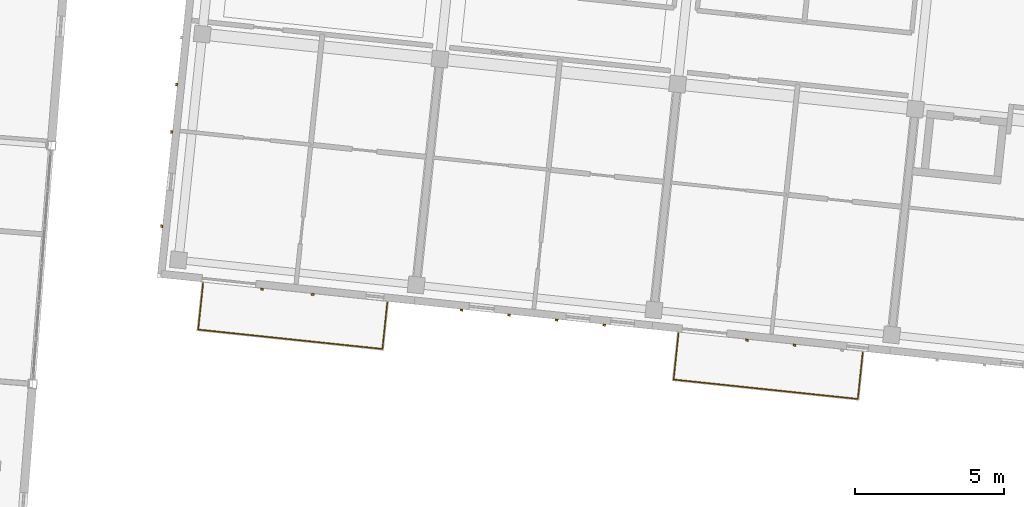
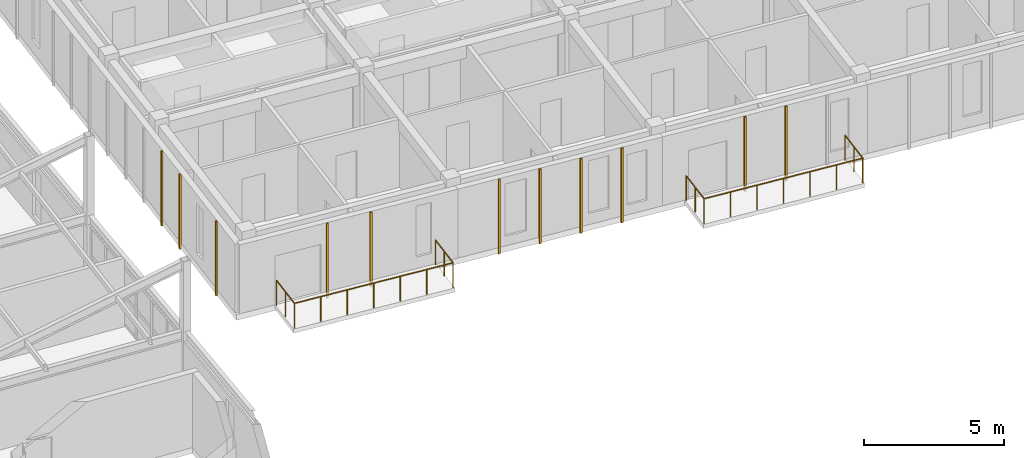
# One storey, part 116 of 127: 11 coverings, 2 railings.
"""IFC4 building model written with IfcOpenShell, lengths in metres."""

import ifcopenshell
import ifcopenshell.guid

model = None  # the IFC model being written
_history = None  # IfcOwnerHistory: only IFC2X3 demands one
_inside = {}  # id of a spatial element -> (the spatial element, [elements in it])
_under = {}  # id of a project, library or spatial element -> (it, [spatial elements below it])
_declared = {}  # id of a project -> (the project, [libraries it declares])
_typed = {}  # id of a type object -> (the type object, [elements of that type])
_made_of = {}  # id of a material, layer set ... -> (it, [elements and type objects made of it])


def new_model(schema):
    """Start an empty IFC model of exactly this schema.

    Asked for "IFC4X3", IfcOpenShell would pick the latest addendum, in which some entities
    have other attributes; the version numbers below select the first issue.
    IFC2X3 requires an IfcOwnerHistory on every rooted entity: one is made here for all.
    """
    global model, _history
    if schema == "IFC4X3":
        model = ifcopenshell.file(schema_version=(4, 3, 0, 0))
    else:
        model = ifcopenshell.file(schema=schema)
    _inside.clear()
    _under.clear()
    _declared.clear()
    _typed.clear()
    _made_of.clear()
    _history = None
    if model.schema == "IFC2X3":
        org = make("IfcOrganization", Name="unknown")
        user = make(
            "IfcPersonAndOrganization",
            ThePerson=make("IfcPerson", FamilyName="unknown"),
            TheOrganization=org,
        )
        app = make(
            "IfcApplication",
            ApplicationDeveloper=org,
            Version="unknown",
            ApplicationFullName="unknown",
            ApplicationIdentifier="unknown",
        )
        _history = make(
            "IfcOwnerHistory",
            OwningUser=user,
            OwningApplication=app,
            ChangeAction="ADDED",
            CreationDate=0,
        )
    return model


def make(cls, **values):
    """One entity of the class cls with the attributes given. An attribute that is None is left unset."""
    return model.create_entity(
        cls, **{name: value for name, value in values.items() if value is not None}
    )


def rooted(cls, **values):
    """An entity with a GlobalId (a new one), such as an element, a storey or a relation."""
    return make(cls, GlobalId=ifcopenshell.guid.new(), OwnerHistory=_history, **values)


def si_unit(unit_type, name, prefix=None):
    """IfcSIUnit, for example si_unit("LENGTHUNIT", "METRE", prefix="MILLI")."""
    return make("IfcSIUnit", UnitType=unit_type, Prefix=prefix, Name=name)


def assignment(units):
    """IfcUnitAssignment: the units of a project."""
    return None if units is None else make("IfcUnitAssignment", Units=units)


def point(xyz):
    """IfcCartesianPoint."""
    return None if xyz is None else make("IfcCartesianPoint", Coordinates=xyz)


def direction(xyz):
    """IfcDirection."""
    return None if xyz is None else make("IfcDirection", DirectionRatios=xyz)


def frame(location, z_axis=None, x_axis=None):
    """IfcAxis2Placement3D, a coordinate frame: its origin and axes. An axis left out is left unset."""
    return make(
        "IfcAxis2Placement3D",
        Location=point(location),
        Axis=direction(z_axis),
        RefDirection=direction(x_axis),
    )


def frame_2d(location, x_axis=None):
    """IfcAxis2Placement2D, a coordinate frame in the plane: its origin and x axis."""
    return make(
        "IfcAxis2Placement2D", Location=point(location), RefDirection=direction(x_axis)
    )


def origin():
    """The frame at (0, 0, 0) with its axes left unset."""
    return frame((0.0, 0.0, 0.0))


def origin_2d():
    """The frame at (0, 0) in the plane with its x axis left unset."""
    return frame_2d((0.0, 0.0))


def place(relative_to, where):
    """IfcLocalPlacement: puts the frame where relative to a parent placement (None: the world)."""
    return make(
        "IfcLocalPlacement", PlacementRelTo=relative_to, RelativePlacement=where
    )


def context(
    kind, dimensions, precision=None, world=None, true_north=None, identifier=None
):
    """IfcGeometricRepresentationContext, for example the 3D "Model" context."""
    return make(
        "IfcGeometricRepresentationContext",
        ContextIdentifier=identifier,
        ContextType=kind,
        CoordinateSpaceDimension=dimensions,
        Precision=precision,
        WorldCoordinateSystem=world,
        TrueNorth=true_north,
    )


def subcontext(parent, identifier, kind, view, scale=None):
    """IfcGeometricRepresentationSubContext, for example "Body" below "Model"."""
    return make(
        "IfcGeometricRepresentationSubContext",
        ContextIdentifier=identifier,
        ContextType=kind,
        ParentContext=parent,
        TargetScale=scale,
        TargetView=view,
    )


def project(units=None, contexts=None):
    """IfcProject with its units and contexts."""
    return rooted(
        "IfcProject",
        Name="project",
        RepresentationContexts=contexts,
        UnitsInContext=assignment(units),
    )


def spatial(cls, under=None, at=None, **own):
    """A site, building, storey or space (cls), placed at a placement, below another one or the project."""
    s = rooted(cls, ObjectPlacement=at, **own)
    if under is not None:
        _under.setdefault(under.id(), (under, []))[1].append(s)
    return s


def profile(cls, at=None, kind="AREA", **sizes):
    """A parametric profile (cls). Its sizes go by their IFC names, for example OverallWidth=200.0."""
    return make(cls, ProfileType=kind, Position=at, **sizes)


def rectangle(**sizes):
    """IfcRectangleProfileDef."""
    return profile("IfcRectangleProfileDef", **sizes)


def circle(**sizes):
    """IfcCircleProfileDef."""
    return profile("IfcCircleProfileDef", **sizes)


def extrude(swept, where, along, depth):
    """IfcExtrudedAreaSolid: the profile swept, set in the frame where, extruded along a direction by depth."""
    return make(
        "IfcExtrudedAreaSolid",
        SweptArea=swept,
        Position=where,
        ExtrudedDirection=direction(along),
        Depth=depth,
    )


def shape(context_of_items, identifier, shape_type, items):
    """IfcShapeRepresentation: the items that make up one representation, for example the "Body"."""
    return make(
        "IfcShapeRepresentation",
        ContextOfItems=context_of_items,
        RepresentationIdentifier=identifier,
        RepresentationType=shape_type,
        Items=items,
    )


def material(Name=None, Category=None):
    """IfcMaterial."""
    return make("IfcMaterial", Name=Name, Category=Category)


def layer(
    of_material, thickness, ventilated=None, Name=None, Category=None, Priority=None
):
    """IfcMaterialLayer: one layer of a wall or slab, of a material (None: an air gap)."""
    return make(
        "IfcMaterialLayer",
        Material=of_material,
        LayerThickness=thickness,
        IsVentilated=ventilated,
        Name=Name,
        Category=Category,
        Priority=Priority,
    )


def layer_set(layers, Name=None):
    """IfcMaterialLayerSet."""
    return make("IfcMaterialLayerSet", MaterialLayers=layers, LayerSetName=Name)


def made_of(thing, what):
    """Note that an element or type object is made of a material, layer set ...; save() writes the relation."""
    if what is not None:
        _made_of.setdefault(what.id(), (what, []))[1].append(thing)
    return thing


def type_object(cls, material=None, **own):
    """A type object (cls), such as IfcWallType, which elements share."""
    return made_of(rooted(cls, **own), material)


def element(
    cls,
    number,
    at=None,
    inside=None,
    cuts=None,
    type_object=None,
    material=None,
    context=None,
    identifier="Body",
    shape_type=None,
    held_by="IfcProductDefinitionShape",
    body=None,
    shapes=None,
    **own,
):
    """One element of the class cls, such as IfcWall. Its Tag is "e" and its number.

    at: its placement. inside: the storey or other place that contains it. cuts: it is an
    opening in that element (IfcRelVoidsElement). A single representation is given by context,
    identifier, shape_type and body (its items); several are given by shapes. held_by: the class
    of the entity that holds the representations. save() writes the other relations.
    """
    e = rooted(cls, Tag="e%d" % number, ObjectPlacement=at, **own)
    if body is not None:
        shapes = [shape(context, identifier, shape_type, body)]
    if shapes is not None:
        e.Representation = make(held_by, Representations=shapes)
    if inside is not None:
        _inside.setdefault(inside.id(), (inside, []))[1].append(e)
    if cuts is not None:
        rooted(
            "IfcRelVoidsElement", RelatingBuildingElement=cuts, RelatedOpeningElement=e
        )
    if type_object is not None:
        _typed.setdefault(type_object.id(), (type_object, []))[1].append(e)
    return made_of(e, material)


def aggregate(whole, parts):
    """IfcRelAggregates: a whole, such as a stair, and the parts it consists of."""
    return rooted("IfcRelAggregates", RelatingObject=whole, RelatedObjects=parts)


def save(model, path):
    """Write the relations noted so far, then the file.

    IfcRelAggregates (storeys below a building ...), IfcRelContainedInSpatialStructure (elements
    in a storey), IfcRelDefinesByType, IfcRelAssociatesMaterial and IfcRelDeclares: one each for
    every whole, place, type object, material and project.
    """
    for whole, parts in _under.values():
        aggregate(whole, parts)
    for where, things in _inside.values():
        rooted(
            "IfcRelContainedInSpatialStructure",
            RelatedElements=things,
            RelatingStructure=where,
        )
    for kind, things in _typed.values():
        rooted("IfcRelDefinesByType", RelatedObjects=things, RelatingType=kind)
    for what, things in _made_of.values():
        rooted("IfcRelAssociatesMaterial", RelatedObjects=things, RelatingMaterial=what)
    for by, libraries in _declared.values():
        rooted("IfcRelDeclares", RelatingContext=by, RelatedDefinitions=libraries)
    model.write(path)


model = new_model("IFC4")

# Units and contexts
model_context = context("Model", 3, precision=1e-05, world=origin(), true_north=direction((0.0, 1.0)))
body_context = subcontext(model_context, "Body", "Model", "MODEL_VIEW")
ifc_project = project(units=[si_unit("LENGTHUNIT", "METRE"), si_unit("AREAUNIT", "SQUARE_METRE"), si_unit("VOLUMEUNIT", "CUBIC_METRE"), si_unit("PLANEANGLEUNIT", "RADIAN"), si_unit("MASSUNIT", "GRAM", prefix="KILO")], contexts=[model_context])

# Site, building, storey
site_placement = place(None, origin())
site = spatial("IfcSite", under=ifc_project, at=site_placement, CompositionType="ELEMENT")
building_placement = place(site_placement, origin())
building = spatial("IfcBuilding", under=site, at=building_placement, Name="Kestramere Prow Commons", CompositionType="ELEMENT")
storey_placement = place(building_placement, frame((0.0, 0.0, 8.39990234375)))
storey = spatial("IfcBuildingStorey", under=building, at=storey_placement, Name="L02", CompositionType="ELEMENT", Elevation=8.39990234375)

# Coverings
ifc_material_1 = material(Name="Weathered Zinc-Titanium Standing-Seam Cladding")
ifc_layer = layer(ifc_material_1, 0.074951171875)
ifc_layer_set = layer_set([ifc_layer], Name="Weathered Zinc-Titanium Standing-Seam Cladding")
covering_type = type_object("IfcCoveringType", Name="COV-CLAD-SEAM", PredefinedType="CLADDING", material=ifc_layer_set)
for number, where, z_axis, x_axis, name in (
    (1, (114.494140625, 93.646484375, -0.25), (0.0, 0.0, 1.0), (-0.994521895368, 0.104528463268, 0.0), "EW-B-L02-S-0 Standing-Seam Rib 2"),
    (2, (112.79833984375, 93.82470703125, -0.25), (0.0, 0.0, 1.0), (-0.994521895368, 0.104528463268, 0.0), "EW-B-L02-S-0 Standing-Seam Rib 3"),
    (3, (124.250244140625, 92.62109375, -0.25), (0.0, 0.0, 1.0), (-0.994521895368, 0.104528463268, 0.0), "EW-B-L02-S-1 Standing-Seam Rib 1"),
    (4, (122.6591796875, 92.788330078125, -0.25), (0.0, 0.0, 1.0), (-0.994521895368, 0.104528463268, 0.0), "EW-B-L02-S-1 Standing-Seam Rib 2"),
    (5, (121.06787109375, 92.95556640625, -0.25), (0.0, 0.0, 1.0), (-0.994521895368, 0.104528463268, 0.0), "EW-B-L02-S-1 Standing-Seam Rib 3"),
    (6, (119.4765625, 93.122802734375, -0.25), (0.0, 0.0, 1.0), (-0.994521895368, 0.104528463268, 0.0), "EW-B-L02-S-1 Standing-Seam Rib 4"),
    (7, (130.615234375, 91.951904296875, -0.25), (0.0, 0.0, 1.0), (-0.994521895368, 0.104528463268, 0.0), "EW-B-L02-S-2 Standing-Seam Rib 2"),
    (8, (129.02392578125, 92.119384765625, -0.25), (0.0, 0.0, 1.0), (-0.994521895368, 0.104528463268, 0.0), "EW-B-L02-S-2 Standing-Seam Rib 3"),
    (9, (109.437255859375, 95.928466796875, -0.25), (0.0, 0.0, 1.0), (0.104528463268, 0.994521895368, 0.0), "EW-B-L02-EAV Standing-Seam Rib 1"),
    (10, (109.76953125, 99.087890625, -0.25), (0.0, 0.0, 1.0), (0.104528463268, 0.994521895368, 0.0), "EW-B-L02-EAV Standing-Seam Rib 3"),
    (11, (109.935546875, 100.667724609375, -0.25), (0.0, 0.0, 1.0), (0.104528463268, 0.994521895368, 0.0), "EW-B-L02-EAV Standing-Seam Rib 4"),
):
    element("IfcCovering", number, at=place(storey_placement, frame(where, z_axis=z_axis, x_axis=x_axis)), inside=storey, type_object=covering_type, Name=name, PredefinedType="CLADDING", context=body_context, shape_type="SweptSolid", body=[
        extrude(rectangle(XDim=0.0849609375, YDim=0.06494140625, at=origin_2d()), origin(), (0.0, 0.0, 1.0), 3.25),
    ])

# Railings
ifc_material_2 = material(Name="Powder-Coated Aluminium 6063-T6", Category="aluminium")
railing_type = type_object("IfcRailingType", Name="GRD-BALC-1100", PredefinedType="BALUSTRADE", material=ifc_material_2)
railing_1_placement = place(storey_placement, frame((110.822998046875, 94.019775390625, 0.0)))
element("IfcRailing", 12, at=railing_1_placement, inside=storey, type_object=railing_type, Name="Block B L02 Balcony Guardrail 1", PredefinedType="BALUSTRADE", context=body_context, shape_type="SweptSolid", body=[
    extrude(circle(Radius=0.02392578125, at=origin_2d()), frame((0.0, 0.0, 1.076171875), z_axis=(-0.104538150424, -0.994520877159, 0.0), x_axis=(0.994520877159, -0.104538150424, 0.0)), (0.0, 0.0, 1.0), 1.56005859375),
    extrude(circle(Radius=0.02392578125, at=origin_2d()), frame((-0.1630859375, -1.551513671875, 1.076171875), z_axis=(0.994519899862, -0.104547447503, 0.0), x_axis=(0.104547447503, 0.994519899862, 0.0)), (0.0, 0.0, 1.0), 6.199951171875),
    extrude(circle(Radius=0.02392578125, at=origin_2d()), frame((6.0029296875, -2.19970703125, 1.076171875), z_axis=(0.104538150424, 0.994520877159, 0.0), x_axis=(-0.994520877159, 0.104538150424, 0.0)), (0.0, 0.0, 1.0), 1.56005859375),
    extrude(circle(Radius=0.02099609375, at=origin_2d()), origin(), (0.0, 0.0, 1.0), 1.052001953125),
    extrude(circle(Radius=0.02099609375, at=origin_2d()), frame((-0.08154296875, -0.77587890625, 0.0)), (0.0, 0.0, 1.0), 1.052001953125),
    extrude(circle(Radius=0.02099609375, at=origin_2d()), frame((-0.1630859375, -1.551513671875, 0.0)), (0.0, 0.0, 1.0), 1.052001953125),
    extrude(circle(Radius=0.02099609375, at=origin_2d()), frame((0.864501953125, -1.65966796875, 0.0)), (0.0, 0.0, 1.0), 1.052001953125),
    extrude(circle(Radius=0.02099609375, at=origin_2d()), frame((1.892333984375, -1.767578125, 0.0)), (0.0, 0.0, 1.0), 1.052001953125),
    extrude(circle(Radius=0.02099609375, at=origin_2d()), frame((2.919921875, -1.87548828125, 0.0)), (0.0, 0.0, 1.0), 1.052001953125),
    extrude(circle(Radius=0.02099609375, at=origin_2d()), frame((3.947509765625, -1.983642578125, 0.0)), (0.0, 0.0, 1.0), 1.052001953125),
    extrude(circle(Radius=0.02099609375, at=origin_2d()), frame((4.975341796875, -2.091796875, 0.0)), (0.0, 0.0, 1.0), 1.052001953125),
    extrude(circle(Radius=0.02099609375, at=origin_2d()), frame((6.0029296875, -2.19970703125, 0.0)), (0.0, 0.0, 1.0), 1.052001953125),
    extrude(circle(Radius=0.02099609375, at=origin_2d()), frame((6.08447265625, -1.423828125, 0.0)), (0.0, 0.0, 1.0), 1.052001953125),
    extrude(circle(Radius=0.02099609375, at=origin_2d()), frame((6.166015625, -0.648193359375, 0.0)), (0.0, 0.0, 1.0), 1.052001953125),
])
railing_2_placement = place(storey_placement, frame((126.7353515625, 92.34716796875, 0.0)))
element("IfcRailing", 13, at=railing_2_placement, inside=storey, type_object=railing_type, Name="Block B L02 Balcony Guardrail 3", PredefinedType="BALUSTRADE", context=body_context, shape_type="SweptSolid", body=[
    extrude(circle(Radius=0.02392578125, at=origin_2d()), frame((0.0, 0.0, 1.076171875), z_axis=(-0.104554422924, -0.994519166556, 0.0), x_axis=(0.994519166556, -0.104554422924, 0.0)), (0.0, 0.0, 1.0), 1.559814453125),
    extrude(circle(Radius=0.02392578125, at=origin_2d()), frame((-0.1630859375, -1.55126953125, 1.076171875), z_axis=(0.994519899862, -0.104547447503, 0.0), x_axis=(0.104547447503, 0.994519899862, 0.0)), (0.0, 0.0, 1.0), 6.199951171875),
    extrude(circle(Radius=0.02392578125, at=origin_2d()), frame((6.0029296875, -2.199462890625, 1.076171875), z_axis=(0.104538150424, 0.994520877159, 0.0), x_axis=(-0.994520877159, 0.104538150424, 0.0)), (0.0, 0.0, 1.0), 1.56005859375),
    extrude(circle(Radius=0.02099609375, at=origin_2d()), origin(), (0.0, 0.0, 1.0), 1.052001953125),
    extrude(circle(Radius=0.02099609375, at=origin_2d()), frame((-0.08154296875, -0.775634765625, 0.0)), (0.0, 0.0, 1.0), 1.052001953125),
    extrude(circle(Radius=0.02099609375, at=origin_2d()), frame((-0.1630859375, -1.55126953125, 0.0)), (0.0, 0.0, 1.0), 1.052001953125),
    extrude(circle(Radius=0.02099609375, at=origin_2d()), frame((0.864501953125, -1.6591796875, 0.0)), (0.0, 0.0, 1.0), 1.052001953125),
    extrude(circle(Radius=0.02099609375, at=origin_2d()), frame((1.892333984375, -1.767333984375, 0.0)), (0.0, 0.0, 1.0), 1.052001953125),
    extrude(circle(Radius=0.02099609375, at=origin_2d()), frame((2.919921875, -1.87548828125, 0.0)), (0.0, 0.0, 1.0), 1.052001953125),
    extrude(circle(Radius=0.02099609375, at=origin_2d()), frame((3.947509765625, -1.9833984375, 0.0)), (0.0, 0.0, 1.0), 1.052001953125),
    extrude(circle(Radius=0.02099609375, at=origin_2d()), frame((4.975341796875, -2.09130859375, 0.0)), (0.0, 0.0, 1.0), 1.052001953125),
    extrude(circle(Radius=0.02099609375, at=origin_2d()), frame((6.0029296875, -2.199462890625, 0.0)), (0.0, 0.0, 1.0), 1.052001953125),
    extrude(circle(Radius=0.02099609375, at=origin_2d()), frame((6.08447265625, -1.423828125, 0.0)), (0.0, 0.0, 1.0), 1.052001953125),
    extrude(circle(Radius=0.02099609375, at=origin_2d()), frame((6.166015625, -0.64794921875, 0.0)), (0.0, 0.0, 1.0), 1.052001953125),
])

save(model, "model.ifc")
